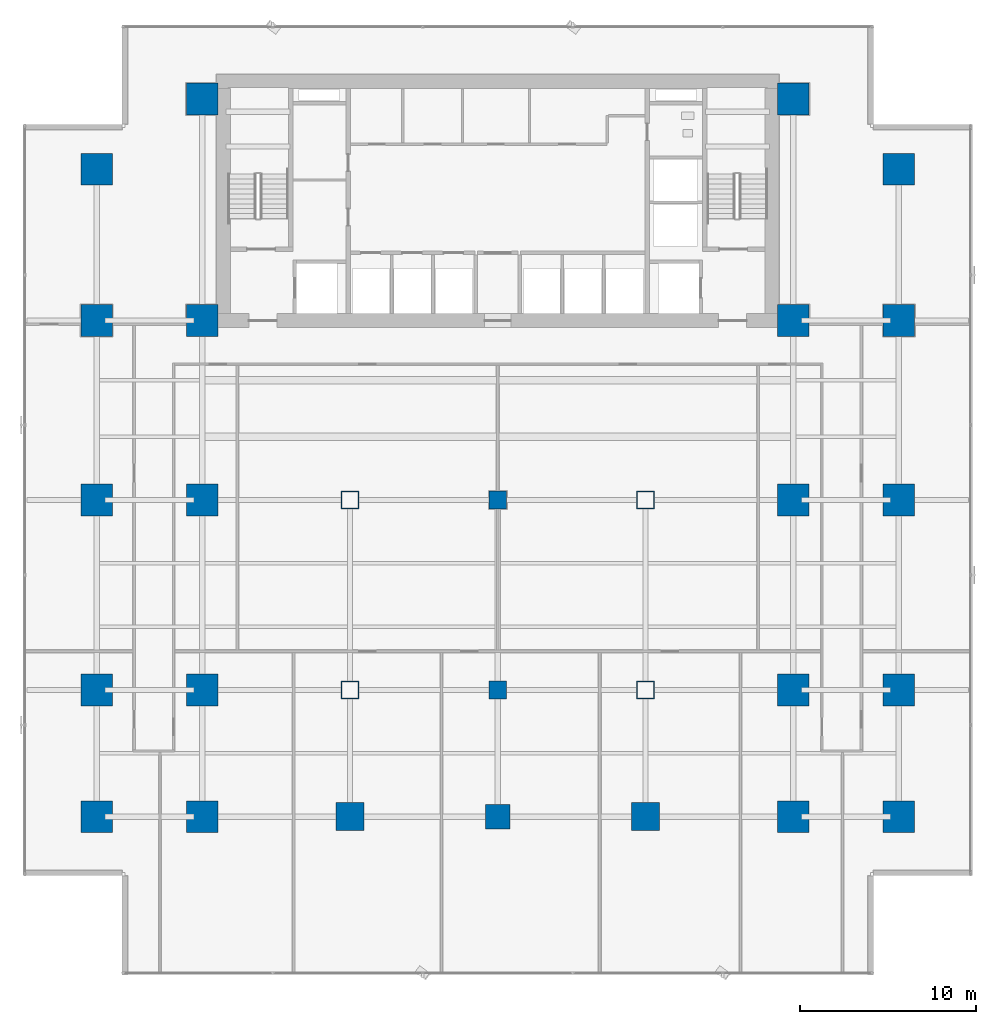
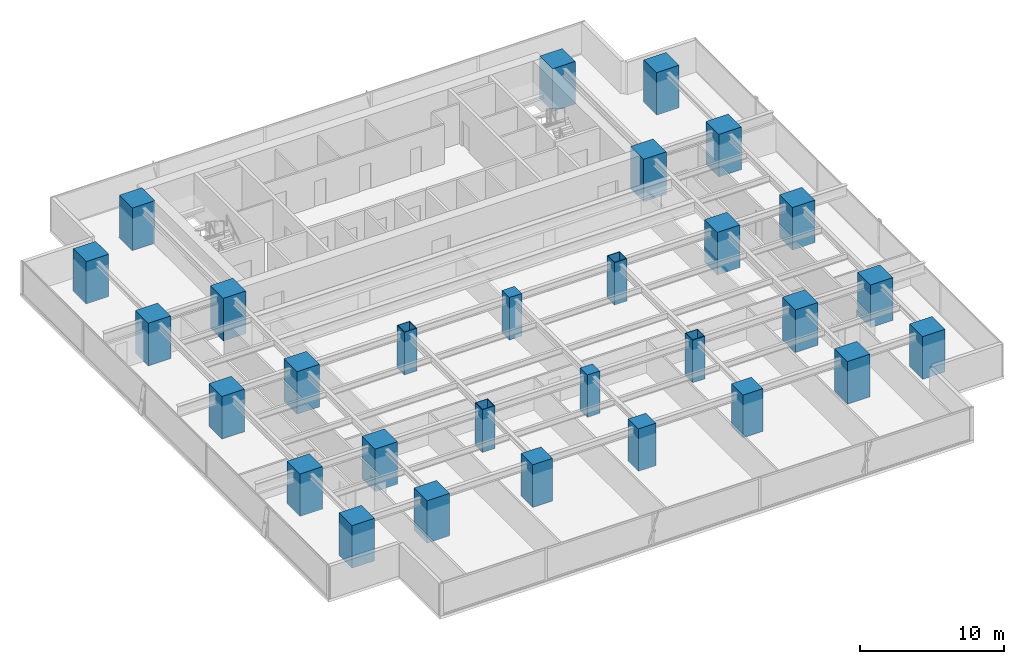
# One storey, part 1 of 34: 29 columns.
"""IFC4 building model written with IfcOpenShell, lengths in metres."""

import ifcopenshell
import ifcopenshell.guid

model = None  # the IFC model being written
_history = None  # IfcOwnerHistory: only IFC2X3 demands one
_inside = {}  # id of a spatial element -> (the spatial element, [elements in it])
_under = {}  # id of a project, library or spatial element -> (it, [spatial elements below it])
_declared = {}  # id of a project -> (the project, [libraries it declares])
_typed = {}  # id of a type object -> (the type object, [elements of that type])
_made_of = {}  # id of a material, layer set ... -> (it, [elements and type objects made of it])


def new_model(schema):
    """Start an empty IFC model of exactly this schema.

    Asked for "IFC4X3", IfcOpenShell would pick the latest addendum, in which some entities
    have other attributes; the version numbers below select the first issue.
    IFC2X3 requires an IfcOwnerHistory on every rooted entity: one is made here for all.
    """
    global model, _history
    if schema == "IFC4X3":
        model = ifcopenshell.file(schema_version=(4, 3, 0, 0))
    else:
        model = ifcopenshell.file(schema=schema)
    _inside.clear()
    _under.clear()
    _declared.clear()
    _typed.clear()
    _made_of.clear()
    _history = None
    if model.schema == "IFC2X3":
        org = make("IfcOrganization", Name="unknown")
        user = make(
            "IfcPersonAndOrganization",
            ThePerson=make("IfcPerson", FamilyName="unknown"),
            TheOrganization=org,
        )
        app = make(
            "IfcApplication",
            ApplicationDeveloper=org,
            Version="unknown",
            ApplicationFullName="unknown",
            ApplicationIdentifier="unknown",
        )
        _history = make(
            "IfcOwnerHistory",
            OwningUser=user,
            OwningApplication=app,
            ChangeAction="ADDED",
            CreationDate=0,
        )
    return model


def make(cls, **values):
    """One entity of the class cls with the attributes given. An attribute that is None is left unset."""
    return model.create_entity(
        cls, **{name: value for name, value in values.items() if value is not None}
    )


def rooted(cls, **values):
    """An entity with a GlobalId (a new one), such as an element, a storey or a relation."""
    return make(cls, GlobalId=ifcopenshell.guid.new(), OwnerHistory=_history, **values)


def si_unit(unit_type, name, prefix=None):
    """IfcSIUnit, for example si_unit("LENGTHUNIT", "METRE", prefix="MILLI")."""
    return make("IfcSIUnit", UnitType=unit_type, Prefix=prefix, Name=name)


def assignment(units):
    """IfcUnitAssignment: the units of a project."""
    return None if units is None else make("IfcUnitAssignment", Units=units)


def point(xyz):
    """IfcCartesianPoint."""
    return None if xyz is None else make("IfcCartesianPoint", Coordinates=xyz)


def direction(xyz):
    """IfcDirection."""
    return None if xyz is None else make("IfcDirection", DirectionRatios=xyz)


def frame(location, z_axis=None, x_axis=None):
    """IfcAxis2Placement3D, a coordinate frame: its origin and axes. An axis left out is left unset."""
    return make(
        "IfcAxis2Placement3D",
        Location=point(location),
        Axis=direction(z_axis),
        RefDirection=direction(x_axis),
    )


def frame_2d(location, x_axis=None):
    """IfcAxis2Placement2D, a coordinate frame in the plane: its origin and x axis."""
    return make(
        "IfcAxis2Placement2D", Location=point(location), RefDirection=direction(x_axis)
    )


def origin():
    """The frame at (0, 0, 0) with its axes left unset."""
    return frame((0.0, 0.0, 0.0))


def origin_2d():
    """The frame at (0, 0) in the plane with its x axis left unset."""
    return frame_2d((0.0, 0.0))


def place(relative_to, where):
    """IfcLocalPlacement: puts the frame where relative to a parent placement (None: the world)."""
    return make(
        "IfcLocalPlacement", PlacementRelTo=relative_to, RelativePlacement=where
    )


def context(
    kind, dimensions, precision=None, world=None, true_north=None, identifier=None
):
    """IfcGeometricRepresentationContext, for example the 3D "Model" context."""
    return make(
        "IfcGeometricRepresentationContext",
        ContextIdentifier=identifier,
        ContextType=kind,
        CoordinateSpaceDimension=dimensions,
        Precision=precision,
        WorldCoordinateSystem=world,
        TrueNorth=true_north,
    )


def subcontext(parent, identifier, kind, view, scale=None):
    """IfcGeometricRepresentationSubContext, for example "Body" below "Model"."""
    return make(
        "IfcGeometricRepresentationSubContext",
        ContextIdentifier=identifier,
        ContextType=kind,
        ParentContext=parent,
        TargetScale=scale,
        TargetView=view,
    )


def project(units=None, contexts=None):
    """IfcProject with its units and contexts."""
    return rooted(
        "IfcProject",
        Name="project",
        RepresentationContexts=contexts,
        UnitsInContext=assignment(units),
    )


def spatial(cls, under=None, at=None, **own):
    """A site, building, storey or space (cls), placed at a placement, below another one or the project."""
    s = rooted(cls, ObjectPlacement=at, **own)
    if under is not None:
        _under.setdefault(under.id(), (under, []))[1].append(s)
    return s


def profile(cls, at=None, kind="AREA", **sizes):
    """A parametric profile (cls). Its sizes go by their IFC names, for example OverallWidth=200.0."""
    return make(cls, ProfileType=kind, Position=at, **sizes)


def rectangle(**sizes):
    """IfcRectangleProfileDef."""
    return profile("IfcRectangleProfileDef", **sizes)


def hollow_rectangle(**sizes):
    """IfcRectangleHollowProfileDef."""
    return profile("IfcRectangleHollowProfileDef", **sizes)


def extrude(swept, where, along, depth):
    """IfcExtrudedAreaSolid: the profile swept, set in the frame where, extruded along a direction by depth."""
    return make(
        "IfcExtrudedAreaSolid",
        SweptArea=swept,
        Position=where,
        ExtrudedDirection=direction(along),
        Depth=depth,
    )


def shape(context_of_items, identifier, shape_type, items):
    """IfcShapeRepresentation: the items that make up one representation, for example the "Body"."""
    return make(
        "IfcShapeRepresentation",
        ContextOfItems=context_of_items,
        RepresentationIdentifier=identifier,
        RepresentationType=shape_type,
        Items=items,
    )


def source(mapping_origin, context_of_items, identifier, shape_type, items):
    """IfcRepresentationMap: a shape defined once, which mapped items show again and again."""
    return make(
        "IfcRepresentationMap",
        MappingOrigin=mapping_origin,
        MappedRepresentation=shape(context_of_items, identifier, shape_type, items),
    )


def transform(
    local_origin,
    x_axis=None,
    y_axis=None,
    z_axis=None,
    scale=None,
    scale2=None,
    scale3=None,
    uniform=True,
):
    """IfcCartesianTransformationOperator3D, or its non-uniform kind. x_axis, y_axis, z_axis: its Axis1, 2, 3."""
    if uniform:
        return make(
            "IfcCartesianTransformationOperator3D",
            Axis1=direction(x_axis),
            Axis2=direction(y_axis),
            LocalOrigin=point(local_origin),
            Scale=scale,
            Axis3=direction(z_axis),
        )
    return make(
        "IfcCartesianTransformationOperator3DnonUniform",
        Axis1=direction(x_axis),
        Axis2=direction(y_axis),
        LocalOrigin=point(local_origin),
        Scale=scale,
        Axis3=direction(z_axis),
        Scale2=scale2,
        Scale3=scale3,
    )


def mapped(mapping_source, mapping_target):
    """IfcMappedItem: shows the shape of a source again, moved by a transform."""
    return make(
        "IfcMappedItem", MappingSource=mapping_source, MappingTarget=mapping_target
    )


def material(Name=None, Category=None):
    """IfcMaterial."""
    return make("IfcMaterial", Name=Name, Category=Category)


def material_profile(
    of_material, cross_section, Name=None, Category=None, Priority=None
):
    """IfcMaterialProfile: a cross section and its material."""
    return make(
        "IfcMaterialProfile",
        Name=Name,
        Material=of_material,
        Profile=cross_section,
        Priority=Priority,
        Category=Category,
    )


def profile_set(profiles, Name=None, composite=None):
    """IfcMaterialProfileSet."""
    return make(
        "IfcMaterialProfileSet",
        Name=Name,
        MaterialProfiles=profiles,
        CompositeProfile=composite,
    )


def made_of(thing, what):
    """Note that an element or type object is made of a material, layer set ...; save() writes the relation."""
    if what is not None:
        _made_of.setdefault(what.id(), (what, []))[1].append(thing)
    return thing


def type_object(cls, material=None, **own):
    """A type object (cls), such as IfcWallType, which elements share."""
    return made_of(rooted(cls, **own), material)


def element(
    cls,
    number,
    at=None,
    inside=None,
    cuts=None,
    type_object=None,
    material=None,
    context=None,
    identifier="Body",
    shape_type=None,
    held_by="IfcProductDefinitionShape",
    body=None,
    shapes=None,
    **own,
):
    """One element of the class cls, such as IfcWall. Its Tag is "e" and its number.

    at: its placement. inside: the storey or other place that contains it. cuts: it is an
    opening in that element (IfcRelVoidsElement). A single representation is given by context,
    identifier, shape_type and body (its items); several are given by shapes. held_by: the class
    of the entity that holds the representations. save() writes the other relations.
    """
    e = rooted(cls, Tag="e%d" % number, ObjectPlacement=at, **own)
    if body is not None:
        shapes = [shape(context, identifier, shape_type, body)]
    if shapes is not None:
        e.Representation = make(held_by, Representations=shapes)
    if inside is not None:
        _inside.setdefault(inside.id(), (inside, []))[1].append(e)
    if cuts is not None:
        rooted(
            "IfcRelVoidsElement", RelatingBuildingElement=cuts, RelatedOpeningElement=e
        )
    if type_object is not None:
        _typed.setdefault(type_object.id(), (type_object, []))[1].append(e)
    return made_of(e, material)


def aggregate(whole, parts):
    """IfcRelAggregates: a whole, such as a stair, and the parts it consists of."""
    return rooted("IfcRelAggregates", RelatingObject=whole, RelatedObjects=parts)


def save(model, path):
    """Write the relations noted so far, then the file.

    IfcRelAggregates (storeys below a building ...), IfcRelContainedInSpatialStructure (elements
    in a storey), IfcRelDefinesByType, IfcRelAssociatesMaterial and IfcRelDeclares: one each for
    every whole, place, type object, material and project.
    """
    for whole, parts in _under.values():
        aggregate(whole, parts)
    for where, things in _inside.values():
        rooted(
            "IfcRelContainedInSpatialStructure",
            RelatedElements=things,
            RelatingStructure=where,
        )
    for kind, things in _typed.values():
        rooted("IfcRelDefinesByType", RelatedObjects=things, RelatingType=kind)
    for what, things in _made_of.values():
        rooted("IfcRelAssociatesMaterial", RelatedObjects=things, RelatingMaterial=what)
    for by, libraries in _declared.values():
        rooted("IfcRelDeclares", RelatingContext=by, RelatedDefinitions=libraries)
    model.write(path)


model = new_model("IFC4")

# Units and contexts
model_context = context("Model", 3, precision=1e-05, world=origin(), true_north=direction((0.0, 1.0)))
body_context = subcontext(model_context, "Body", "Model", "MODEL_VIEW")
ifc_project = project(units=[si_unit("LENGTHUNIT", "METRE"), si_unit("AREAUNIT", "SQUARE_METRE"), si_unit("VOLUMEUNIT", "CUBIC_METRE"), si_unit("PLANEANGLEUNIT", "RADIAN"), si_unit("MASSUNIT", "GRAM", prefix="KILO")], contexts=[model_context])

# Site, building, storey
site_placement = place(None, origin())
site = spatial("IfcSite", under=ifc_project, at=site_placement, CompositionType="ELEMENT")
building_placement = place(site_placement, origin())
building = spatial("IfcBuilding", under=site, at=building_placement, Name="Sumidabori Civic Tower", CompositionType="ELEMENT")
storey_placement = place(building_placement, frame((0.0, 0.0, 41.60009765625)))
storey = spatial("IfcBuildingStorey", under=building, at=storey_placement, Name="L10", CompositionType="ELEMENT", Elevation=41.60009765625)

# Columns
ifc_material_1 = material(Name="Concrete C60/75", Category="concrete")
ifc_material_profile_1 = material_profile(ifc_material_1, rectangle(XDim=1.800048828125, YDim=1.800048828125, at=origin_2d()), Name="RC 1800x1800")
ifc_profile_set_1 = profile_set([ifc_material_profile_1], Name="Concrete C60/75")
column_type_1 = type_object("IfcColumnType", Name="CL-MEGA-1800", PredefinedType="COLUMN", material=ifc_profile_set_1)
shared_shape_1 = source(origin(), body_context, "Body", "SweptSolid", [
    extrude(rectangle(XDim=1.800048828125, YDim=1.800048828125, at=origin_2d()), origin(), (0.0, 0.0, 1.0), 3.599853515625),
])
for number, where, z_axis, x_axis, name in (
    (1, (-16.800048828125, -18.0, 0.0), (0.0, 0.0, 1.0), (1.0, 0.0, 0.0), "Column MC-W16-Y18S L10"),
    (2, (-16.800048828125, -10.800048828125, 0.0), (0.0, 0.0, 1.0), (1.0, 0.0, 0.0), "Column MC-W16-Y11S L10"),
    (3, (-16.800048828125, 0.0, 0.0), (0.0, 0.0, 1.0), (1.0, 0.0, 0.0), "Column MC-W16-Y00 L10"),
    (4, (-16.800048828125, 10.199951171875, 0.0), (0.0, 0.0, 1.0), (1.0, 0.0, 0.0), "Column MC-W16-Y10N L10"),
    (5, (-16.800048828125, 22.800048828125, 0.0), (0.0, 0.0, 1.0), (1.0, 0.0, 0.0), "Column MC-W16-Y23N L10"),
    (6, (16.800048828125, -18.0, 0.0), (0.0, 0.0, 1.0), (1.0, 0.0, 0.0), "Column MC-E16-Y18S L10"),
    (7, (16.800048828125, -10.800048828125, 0.0), (0.0, 0.0, 1.0), (1.0, 0.0, 0.0), "Column MC-E16-Y11S L10"),
    (8, (16.800048828125, 0.0, 0.0), (0.0, 0.0, 1.0), (1.0, 0.0, 0.0), "Column MC-E16-Y00 L10"),
    (9, (16.800048828125, 10.199951171875, 0.0), (0.0, 0.0, 1.0), (1.0, 0.0, 0.0), "Column MC-E16-Y10N L10"),
    (10, (16.800048828125, 22.800048828125, 0.0), (0.0, 0.0, 1.0), (1.0, 0.0, 0.0), "Column MC-E16-Y23N L10"),
    (11, (-22.800048828125, -18.0, 0.0), (0.0, 0.0, 1.0), (1.0, 0.0, 0.0), "Column MC-W23-Y18S L10"),
    (12, (-22.800048828125, -10.800048828125, 0.0), (0.0, 0.0, 1.0), (1.0, 0.0, 0.0), "Column MC-W23-Y11S L10"),
    (13, (-22.800048828125, 0.0, 0.0), (0.0, 0.0, 1.0), (1.0, 0.0, 0.0), "Column MC-W23-Y00 L10"),
    (14, (-22.800048828125, 10.199951171875, 0.0), (0.0, 0.0, 1.0), (1.0, 0.0, 0.0), "Column MC-W23-Y10N L10"),
    (15, (-22.800048828125, 18.800048828125, 0.0), (0.0, 0.0, 1.0), (1.0, 0.0, 0.0), "Column MC-W23-Y19N L10"),
    (16, (22.800048828125, -18.0, 0.0), (0.0, 0.0, 1.0), (1.0, 0.0, 0.0), "Column MC-E23-Y18S L10"),
    (17, (22.800048828125, -10.800048828125, 0.0), (0.0, 0.0, 1.0), (1.0, 0.0, 0.0), "Column MC-E23-Y11S L10"),
    (18, (22.800048828125, 0.0, 0.0), (0.0, 0.0, 1.0), (1.0, 0.0, 0.0), "Column MC-E23-Y00 L10"),
    (19, (22.800048828125, 10.199951171875, 0.0), (0.0, 0.0, 1.0), (1.0, 0.0, 0.0), "Column MC-E23-Y10N L10"),
    (20, (22.800048828125, 18.800048828125, 0.0), (0.0, 0.0, 1.0), (1.0, 0.0, 0.0), "Column MC-E23-Y19N L10"),
):
    element("IfcColumn", number, at=place(storey_placement, frame(where, z_axis=z_axis, x_axis=x_axis)), inside=storey, type_object=column_type_1, Name=name, PredefinedType="COLUMN", context=body_context, shape_type="MappedRepresentation", body=[
        mapped(shared_shape_1, transform((0.0, 0.0, 0.0), x_axis=(1.0, 0.0, 0.0), y_axis=(0.0, 1.0, 0.0), z_axis=(0.0, 0.0, 1.0), scale=1.0)),
    ])
ifc_material_profile_2 = material_profile(ifc_material_1, rectangle(XDim=1.60009765625, YDim=1.60009765625, at=origin_2d()), Name="RC 1600x1600")
ifc_profile_set_2 = profile_set([ifc_material_profile_2], Name="Concrete C60/75")
column_type_2 = type_object("IfcColumnType", Name="CL-MEGA-1600", PredefinedType="COLUMN", material=ifc_profile_set_2)
shared_shape_2 = source(origin(), body_context, "Body", "SweptSolid", [
    extrude(rectangle(XDim=1.60009765625, YDim=1.60009765625, at=origin_2d()), origin(), (0.0, 0.0, 1.0), 3.599853515625),
])
for number, where, z_axis, x_axis, name in (
    (21, (-8.39990234375, -18.0, 0.0), (0.0, 0.0, 1.0), (1.0, 0.0, 0.0), "Column MC-W08-Y18S L10"),
    (22, (8.39990234375, -18.0, 0.0), (0.0, 0.0, 1.0), (1.0, 0.0, 0.0), "Column MC-E08-Y18S L10"),
):
    element("IfcColumn", number, at=place(storey_placement, frame(where, z_axis=z_axis, x_axis=x_axis)), inside=storey, type_object=column_type_2, Name=name, PredefinedType="COLUMN", context=body_context, shape_type="MappedRepresentation", body=[
        mapped(shared_shape_2, transform((0.0, 0.0, 0.0), x_axis=(1.0, 0.0, 0.0), y_axis=(0.0, 1.0, 0.0), z_axis=(0.0, 0.0, 1.0), scale=1.0)),
    ])
ifc_material_2 = material(Name="Steel SM570", Category="steel")
ifc_material_profile_3 = material_profile(ifc_material_2, hollow_rectangle(XDim=1.0, YDim=1.0, WallThickness=0.044921875, at=origin_2d()), Name="SHS 1000x1000x45")
ifc_profile_set_3 = profile_set([ifc_material_profile_3], Name="Steel SM570")
column_type_3 = type_object("IfcColumnType", Name="CL-PORTAL-SHS1000", PredefinedType="COLUMN", material=ifc_profile_set_3)
shared_shape_3 = source(origin(), body_context, "Body", "SweptSolid", [
    extrude(hollow_rectangle(XDim=1.0, YDim=1.0, WallThickness=0.044921875, at=origin_2d()), origin(), (0.0, 0.0, 1.0), 3.599853515625),
])
for number, where, z_axis, x_axis, name in (
    (23, (-8.39990234375, 0.0, 0.0), (0.0, 0.0, 1.0), (1.0, 0.0, 0.0), "Column MC-W08-Y00 L10"),
    (24, (-8.39990234375, -10.800048828125, 0.0), (0.0, 0.0, 1.0), (1.0, 0.0, 0.0), "Column MC-W08-Y11S L10"),
    (25, (8.39990234375, 0.0, 0.0), (0.0, 0.0, 1.0), (1.0, 0.0, 0.0), "Column MC-E08-Y00 L10"),
    (26, (8.39990234375, -10.800048828125, 0.0), (0.0, 0.0, 1.0), (1.0, 0.0, 0.0), "Column MC-E08-Y11S L10"),
):
    element("IfcColumn", number, at=place(storey_placement, frame(where, z_axis=z_axis, x_axis=x_axis)), inside=storey, type_object=column_type_3, Name=name, PredefinedType="COLUMN", context=body_context, shape_type="MappedRepresentation", body=[
        mapped(shared_shape_3, transform((0.0, 0.0, 0.0), x_axis=(1.0, 0.0, 0.0), y_axis=(0.0, 1.0, 0.0), z_axis=(0.0, 0.0, 1.0), scale=1.0)),
    ])
ifc_material_profile_4 = material_profile(ifc_material_1, rectangle(XDim=1.39990234375, YDim=1.39990234375, at=origin_2d()), Name="RC 1400x1400")
ifc_profile_set_4 = profile_set([ifc_material_profile_4], Name="Concrete C60/75")
column_type_4 = type_object("IfcColumnType", Name="CL-MEGA-1400", PredefinedType="COLUMN", material=ifc_profile_set_4)
shared_shape_4 = source(origin(), body_context, "Body", "SweptSolid", [
    extrude(rectangle(XDim=1.39990234375, YDim=1.39990234375, at=origin_2d()), origin(), (0.0, 0.0, 1.0), 3.599853515625),
])
column_placement = place(storey_placement, frame((0.0, -18.0, 0.0), z_axis=(0.0, 0.0, 1.0), x_axis=(1.0, 0.0, 0.0)))
element("IfcColumn", 27, at=column_placement, inside=storey, type_object=column_type_4, Name="Column MC-C00-Y18S L10", PredefinedType="COLUMN", context=body_context, shape_type="MappedRepresentation", body=[
    mapped(shared_shape_4, transform((0.0, 0.0, 0.0), x_axis=(1.0, 0.0, 0.0), y_axis=(0.0, 1.0, 0.0), z_axis=(0.0, 0.0, 1.0), scale=1.0)),
])
ifc_material_3 = material(Name="Concrete C50/60", Category="concrete")
ifc_material_profile_5 = material_profile(ifc_material_3, rectangle(XDim=1.0, YDim=1.0, at=origin_2d()), Name="RC 1000x1000")
ifc_profile_set_5 = profile_set([ifc_material_profile_5], Name="Concrete C50/60")
column_type_5 = type_object("IfcColumnType", Name="CL-INT-1000", PredefinedType="COLUMN", material=ifc_profile_set_5)
shared_shape_5 = source(origin(), body_context, "Body", "SweptSolid", [
    extrude(rectangle(XDim=1.0, YDim=1.0, at=origin_2d()), origin(), (0.0, 0.0, 1.0), 3.599853515625),
])
for number, where, z_axis, x_axis, name in (
    (28, (0.0, -10.800048828125, 0.0), (0.0, 0.0, 1.0), (1.0, 0.0, 0.0), "Column MC-C00-Y11S L10"),
    (29, (0.0, 0.0, 0.0), (0.0, 0.0, 1.0), (1.0, 0.0, 0.0), "Column MC-C00-Y00 L10"),
):
    element("IfcColumn", number, at=place(storey_placement, frame(where, z_axis=z_axis, x_axis=x_axis)), inside=storey, type_object=column_type_5, Name=name, PredefinedType="COLUMN", context=body_context, shape_type="MappedRepresentation", body=[
        mapped(shared_shape_5, transform((0.0, 0.0, 0.0), x_axis=(1.0, 0.0, 0.0), y_axis=(0.0, 1.0, 0.0), z_axis=(0.0, 0.0, 1.0), scale=1.0)),
    ])

save(model, "model.ifc")
